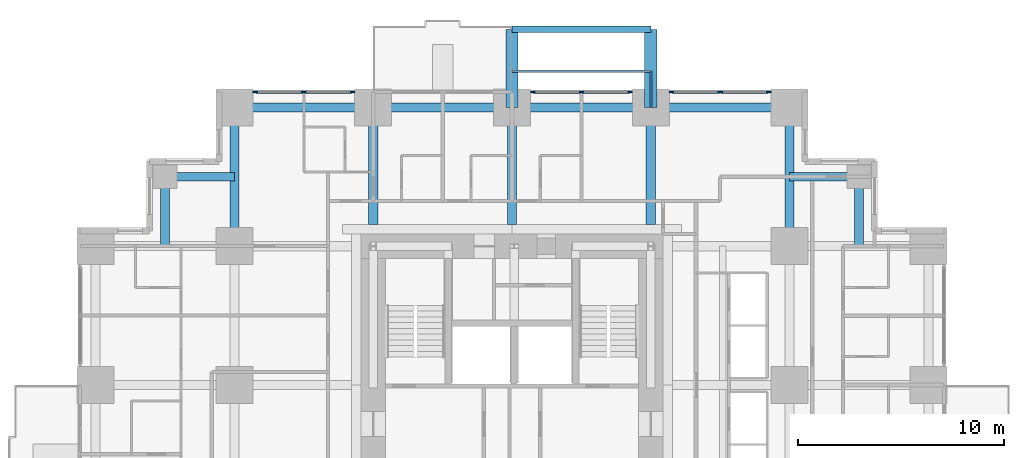
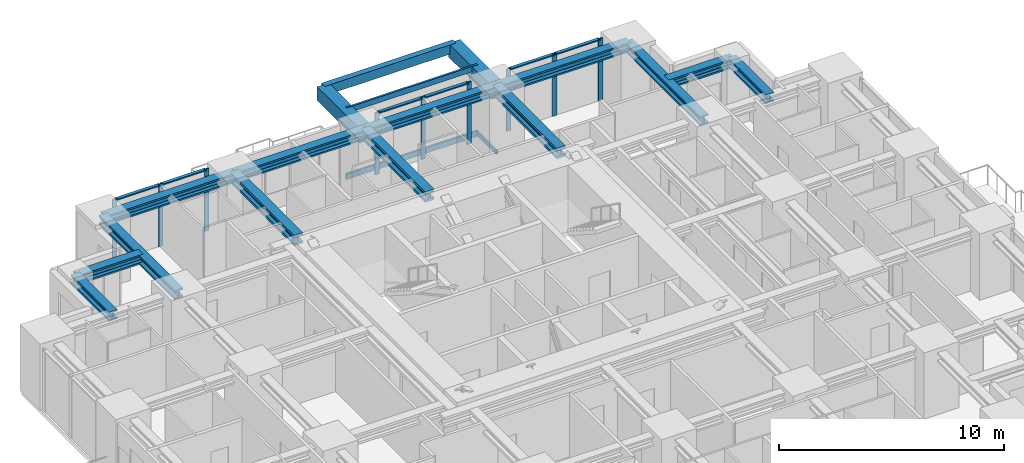
# One storey, part 5 of 13: 18 members, 16 beams, 3 elements without a shape of their own.
"""IFC4 building model written with IfcOpenShell, lengths in metres."""

import ifcopenshell
import ifcopenshell.guid

model = None  # the IFC model being written
_history = None  # IfcOwnerHistory: only IFC2X3 demands one
_inside = {}  # id of a spatial element -> (the spatial element, [elements in it])
_under = {}  # id of a project, library or spatial element -> (it, [spatial elements below it])
_declared = {}  # id of a project -> (the project, [libraries it declares])
_typed = {}  # id of a type object -> (the type object, [elements of that type])
_made_of = {}  # id of a material, layer set ... -> (it, [elements and type objects made of it])


def new_model(schema):
    """Start an empty IFC model of exactly this schema.

    Asked for "IFC4X3", IfcOpenShell would pick the latest addendum, in which some entities
    have other attributes; the version numbers below select the first issue.
    IFC2X3 requires an IfcOwnerHistory on every rooted entity: one is made here for all.
    """
    global model, _history
    if schema == "IFC4X3":
        model = ifcopenshell.file(schema_version=(4, 3, 0, 0))
    else:
        model = ifcopenshell.file(schema=schema)
    _inside.clear()
    _under.clear()
    _declared.clear()
    _typed.clear()
    _made_of.clear()
    _history = None
    if model.schema == "IFC2X3":
        org = make("IfcOrganization", Name="unknown")
        user = make(
            "IfcPersonAndOrganization",
            ThePerson=make("IfcPerson", FamilyName="unknown"),
            TheOrganization=org,
        )
        app = make(
            "IfcApplication",
            ApplicationDeveloper=org,
            Version="unknown",
            ApplicationFullName="unknown",
            ApplicationIdentifier="unknown",
        )
        _history = make(
            "IfcOwnerHistory",
            OwningUser=user,
            OwningApplication=app,
            ChangeAction="ADDED",
            CreationDate=0,
        )
    return model


def make(cls, **values):
    """One entity of the class cls with the attributes given. An attribute that is None is left unset."""
    return model.create_entity(
        cls, **{name: value for name, value in values.items() if value is not None}
    )


def rooted(cls, **values):
    """An entity with a GlobalId (a new one), such as an element, a storey or a relation."""
    return make(cls, GlobalId=ifcopenshell.guid.new(), OwnerHistory=_history, **values)


def si_unit(unit_type, name, prefix=None):
    """IfcSIUnit, for example si_unit("LENGTHUNIT", "METRE", prefix="MILLI")."""
    return make("IfcSIUnit", UnitType=unit_type, Prefix=prefix, Name=name)


def assignment(units):
    """IfcUnitAssignment: the units of a project."""
    return None if units is None else make("IfcUnitAssignment", Units=units)


def point(xyz):
    """IfcCartesianPoint."""
    return None if xyz is None else make("IfcCartesianPoint", Coordinates=xyz)


def direction(xyz):
    """IfcDirection."""
    return None if xyz is None else make("IfcDirection", DirectionRatios=xyz)


def frame(location, z_axis=None, x_axis=None):
    """IfcAxis2Placement3D, a coordinate frame: its origin and axes. An axis left out is left unset."""
    return make(
        "IfcAxis2Placement3D",
        Location=point(location),
        Axis=direction(z_axis),
        RefDirection=direction(x_axis),
    )


def frame_2d(location, x_axis=None):
    """IfcAxis2Placement2D, a coordinate frame in the plane: its origin and x axis."""
    return make(
        "IfcAxis2Placement2D", Location=point(location), RefDirection=direction(x_axis)
    )


def origin():
    """The frame at (0, 0, 0) with its axes left unset."""
    return frame((0.0, 0.0, 0.0))


def origin_2d():
    """The frame at (0, 0) in the plane with its x axis left unset."""
    return frame_2d((0.0, 0.0))


def place(relative_to, where):
    """IfcLocalPlacement: puts the frame where relative to a parent placement (None: the world)."""
    return make(
        "IfcLocalPlacement", PlacementRelTo=relative_to, RelativePlacement=where
    )


def context(
    kind, dimensions, precision=None, world=None, true_north=None, identifier=None
):
    """IfcGeometricRepresentationContext, for example the 3D "Model" context."""
    return make(
        "IfcGeometricRepresentationContext",
        ContextIdentifier=identifier,
        ContextType=kind,
        CoordinateSpaceDimension=dimensions,
        Precision=precision,
        WorldCoordinateSystem=world,
        TrueNorth=true_north,
    )


def subcontext(parent, identifier, kind, view, scale=None):
    """IfcGeometricRepresentationSubContext, for example "Body" below "Model"."""
    return make(
        "IfcGeometricRepresentationSubContext",
        ContextIdentifier=identifier,
        ContextType=kind,
        ParentContext=parent,
        TargetScale=scale,
        TargetView=view,
    )


def project(units=None, contexts=None):
    """IfcProject with its units and contexts."""
    return rooted(
        "IfcProject",
        Name="project",
        RepresentationContexts=contexts,
        UnitsInContext=assignment(units),
    )


def spatial(cls, under=None, at=None, **own):
    """A site, building, storey or space (cls), placed at a placement, below another one or the project."""
    s = rooted(cls, ObjectPlacement=at, **own)
    if under is not None:
        _under.setdefault(under.id(), (under, []))[1].append(s)
    return s


def profile(cls, at=None, kind="AREA", **sizes):
    """A parametric profile (cls). Its sizes go by their IFC names, for example OverallWidth=200.0."""
    return make(cls, ProfileType=kind, Position=at, **sizes)


def rectangle(**sizes):
    """IfcRectangleProfileDef."""
    return profile("IfcRectangleProfileDef", **sizes)


def hollow_rectangle(**sizes):
    """IfcRectangleHollowProfileDef."""
    return profile("IfcRectangleHollowProfileDef", **sizes)


def i_section(**sizes):
    """IfcIShapeProfileDef."""
    return profile("IfcIShapeProfileDef", **sizes)


def extrude(swept, where, along, depth):
    """IfcExtrudedAreaSolid: the profile swept, set in the frame where, extruded along a direction by depth."""
    return make(
        "IfcExtrudedAreaSolid",
        SweptArea=swept,
        Position=where,
        ExtrudedDirection=direction(along),
        Depth=depth,
    )


def shape(context_of_items, identifier, shape_type, items):
    """IfcShapeRepresentation: the items that make up one representation, for example the "Body"."""
    return make(
        "IfcShapeRepresentation",
        ContextOfItems=context_of_items,
        RepresentationIdentifier=identifier,
        RepresentationType=shape_type,
        Items=items,
    )


def material(Name=None, Category=None):
    """IfcMaterial."""
    return make("IfcMaterial", Name=Name, Category=Category)


def material_profile(
    of_material, cross_section, Name=None, Category=None, Priority=None
):
    """IfcMaterialProfile: a cross section and its material."""
    return make(
        "IfcMaterialProfile",
        Name=Name,
        Material=of_material,
        Profile=cross_section,
        Priority=Priority,
        Category=Category,
    )


def profile_set(profiles, Name=None, composite=None):
    """IfcMaterialProfileSet."""
    return make(
        "IfcMaterialProfileSet",
        Name=Name,
        MaterialProfiles=profiles,
        CompositeProfile=composite,
    )


def made_of(thing, what):
    """Note that an element or type object is made of a material, layer set ...; save() writes the relation."""
    if what is not None:
        _made_of.setdefault(what.id(), (what, []))[1].append(thing)
    return thing


def type_object(cls, material=None, **own):
    """A type object (cls), such as IfcWallType, which elements share."""
    return made_of(rooted(cls, **own), material)


def element(
    cls,
    number,
    at=None,
    inside=None,
    cuts=None,
    type_object=None,
    material=None,
    context=None,
    identifier="Body",
    shape_type=None,
    held_by="IfcProductDefinitionShape",
    body=None,
    shapes=None,
    **own,
):
    """One element of the class cls, such as IfcWall. Its Tag is "e" and its number.

    at: its placement. inside: the storey or other place that contains it. cuts: it is an
    opening in that element (IfcRelVoidsElement). A single representation is given by context,
    identifier, shape_type and body (its items); several are given by shapes. held_by: the class
    of the entity that holds the representations. save() writes the other relations.
    """
    e = rooted(cls, Tag="e%d" % number, ObjectPlacement=at, **own)
    if body is not None:
        shapes = [shape(context, identifier, shape_type, body)]
    if shapes is not None:
        e.Representation = make(held_by, Representations=shapes)
    if inside is not None:
        _inside.setdefault(inside.id(), (inside, []))[1].append(e)
    if cuts is not None:
        rooted(
            "IfcRelVoidsElement", RelatingBuildingElement=cuts, RelatedOpeningElement=e
        )
    if type_object is not None:
        _typed.setdefault(type_object.id(), (type_object, []))[1].append(e)
    return made_of(e, material)


def aggregate(whole, parts):
    """IfcRelAggregates: a whole, such as a stair, and the parts it consists of."""
    return rooted("IfcRelAggregates", RelatingObject=whole, RelatedObjects=parts)


def save(model, path):
    """Write the relations noted so far, then the file.

    IfcRelAggregates (storeys below a building ...), IfcRelContainedInSpatialStructure (elements
    in a storey), IfcRelDefinesByType, IfcRelAssociatesMaterial and IfcRelDeclares: one each for
    every whole, place, type object, material and project.
    """
    for whole, parts in _under.values():
        aggregate(whole, parts)
    for where, things in _inside.values():
        rooted(
            "IfcRelContainedInSpatialStructure",
            RelatedElements=things,
            RelatingStructure=where,
        )
    for kind, things in _typed.values():
        rooted("IfcRelDefinesByType", RelatedObjects=things, RelatingType=kind)
    for what, things in _made_of.values():
        rooted("IfcRelAssociatesMaterial", RelatedObjects=things, RelatingMaterial=what)
    for by, libraries in _declared.values():
        rooted("IfcRelDeclares", RelatingContext=by, RelatedDefinitions=libraries)
    model.write(path)


model = new_model("IFC4")

# Units and contexts
model_context = context("Model", 3, precision=1e-05, world=origin(), true_north=direction((0.0, 1.0)))
body_context = subcontext(model_context, "Body", "Model", "MODEL_VIEW")
ifc_project = project(units=[si_unit("LENGTHUNIT", "METRE"), si_unit("AREAUNIT", "SQUARE_METRE"), si_unit("VOLUMEUNIT", "CUBIC_METRE"), si_unit("PLANEANGLEUNIT", "RADIAN"), si_unit("MASSUNIT", "GRAM", prefix="KILO")], contexts=[model_context])

# Site, building, storey
site_placement = place(None, origin())
site = spatial("IfcSite", under=ifc_project, at=site_placement, CompositionType="ELEMENT")
building_placement = place(site_placement, origin())
building = spatial("IfcBuilding", under=site, at=building_placement, Name="Nyansa Garden Tower", CompositionType="ELEMENT")
storey_placement = place(building_placement, frame((0.0, 0.0, 101.699951171875)))
storey = spatial("IfcBuildingStorey", under=building, at=storey_placement, Name="L27", CompositionType="ELEMENT", Elevation=101.699951171875)

# Beams
ifc_material_1 = material(Name="Concrete C70/85", Category="concrete")
ifc_material_profile_1 = material_profile(ifc_material_1, rectangle(XDim=0.60009765625, YDim=0.75, at=origin_2d()), Name="RC 600x750")
ifc_profile_set_1 = profile_set([ifc_material_profile_1], Name="Concrete C70/85")
beam_type_1 = type_object("IfcBeamType", Name="Balcony cantilever beam CB1 RC 600x750", PredefinedType="BEAM", material=ifc_profile_set_1)
for number, where, z_axis, x_axis, name in (
    (1, (20.25, 33.75, 2.985107421875), (0.0, 1.0, 0.0), (-1.0, 0.0, 0.0), "Balcony cantilever beam L28"),
    (2, (27.0, 33.75, 2.985107421875), (0.0, 1.0, 0.0), (-1.0, 0.0, 0.0), "Balcony cantilever beam L28"),
):
    element("IfcBeam", number, at=place(storey_placement, frame(where, z_axis=z_axis, x_axis=x_axis)), inside=storey, type_object=beam_type_1, Name=name, PredefinedType="BEAM", context=body_context, shape_type="SweptSolid", body=[
        extrude(rectangle(XDim=0.60009765625, YDim=0.75, at=origin_2d()), origin(), (0.0, 0.0, 1.0), 3.800048828125),
    ])
ifc_material_2 = material(Name="Concrete C70/85", Category="concrete")
ifc_material_profile_2 = material_profile(ifc_material_2, rectangle(XDim=0.300048828125, YDim=0.5, at=origin_2d()), Name="RC 300x500")
ifc_profile_set_2 = profile_set([ifc_material_profile_2], Name="Concrete C70/85")
beam_type_2 = type_object("IfcBeamType", Name="Balcony edge beam BE1 RC 300x500", PredefinedType="BEAM", material=ifc_profile_set_2)
beam_placement = place(storey_placement, frame((20.25, 37.550048828125, 3.110107421875), z_axis=(1.0, 0.0, 0.0), x_axis=(0.0, 1.0, 0.0)))
element("IfcBeam", 3, at=beam_placement, inside=storey, type_object=beam_type_2, Name="Balcony edge beam L28", PredefinedType="BEAM", context=body_context, shape_type="SweptSolid", body=[
    extrude(rectangle(XDim=0.300048828125, YDim=0.5, at=origin_2d()), origin(), (0.0, 0.0, 1.0), 6.75),
])

# Curtain wall, members
ifc_material_3 = material(Name="Black anodised aluminium, dark tinted double glazing", Category="aluminium")
curtain_wall_type = type_object("IfcCurtainWallType", Name="Inner skin curtain wall ISW-B", PredefinedType="USERDEFINED", material=ifc_material_3)
curtain_wall_1_placement = place(storey_placement, origin())
curtain_wall_1 = element("IfcCurtainWall", 4, at=curtain_wall_1_placement, inside=storey, type_object=curtain_wall_type, Name="Inner skin curtain wall L27 N", ObjectType="UNITISED CURTAIN WALL", PredefinedType="USERDEFINED")
ifc_material_4 = material(Name="Black anodised aluminium", Category="aluminium")
ifc_material_profile_3 = material_profile(ifc_material_4, rectangle(XDim=0.06494140625, YDim=0.22509765625, at=origin_2d()), Name="Mullion 225x65")
ifc_profile_set_3 = profile_set([ifc_material_profile_3], Name="Black anodised aluminium")
member_type_1 = type_object("IfcMemberType", Name="Mullion ISW-B 225x65", PredefinedType="MULLION", material=ifc_profile_set_3)
member_1_placement = place(storey_placement, frame((12.487548828125, 34.5, 0.0), z_axis=(0.0, 0.0, 1.0), x_axis=(0.0, -1.0, 0.0)))
member_1 = element("IfcMember", 5, at=member_1_placement, type_object=member_type_1, Name="ISW-B mullion 1", PredefinedType="MULLION", context=body_context, shape_type="SweptSolid", body=[
    extrude(rectangle(XDim=0.06494140625, YDim=0.22509765625, at=origin_2d()), origin(), (0.0, 0.0, 1.0), 3.375),
])
member_2_placement = place(storey_placement, frame((10.125, 34.5, 0.0), z_axis=(0.0, 0.0, 1.0), x_axis=(0.0, -1.0, 0.0)))
member_2 = element("IfcMember", 6, at=member_2_placement, type_object=member_type_1, Name="ISW-B mullion 2", PredefinedType="MULLION", context=body_context, shape_type="SweptSolid", body=[
    extrude(rectangle(XDim=0.06494140625, YDim=0.22509765625, at=origin_2d()), origin(), (0.0, 0.0, 1.0), 3.375),
])
member_3_placement = place(storey_placement, frame((7.762451171875, 34.5, 0.0), z_axis=(0.0, 0.0, 1.0), x_axis=(0.0, -1.0, 0.0)))
member_3 = element("IfcMember", 7, at=member_3_placement, type_object=member_type_1, Name="ISW-B mullion 3", PredefinedType="MULLION", context=body_context, shape_type="SweptSolid", body=[
    extrude(rectangle(XDim=0.06494140625, YDim=0.22509765625, at=origin_2d()), origin(), (0.0, 0.0, 1.0), 3.375),
])

curtain_wall_2_placement = place(storey_placement, origin())
curtain_wall_2 = element("IfcCurtainWall", 8, at=curtain_wall_2_placement, inside=storey, type_object=curtain_wall_type, Name="Inner skin curtain wall L27 N", ObjectType="UNITISED CURTAIN WALL", PredefinedType="USERDEFINED")
member_4_placement = place(storey_placement, frame((32.737548828125, 34.5, 0.0), z_axis=(0.0, 0.0, 1.0), x_axis=(0.0, -1.0, 0.0)))
member_4 = element("IfcMember", 9, at=member_4_placement, type_object=member_type_1, Name="ISW-B mullion 1", PredefinedType="MULLION", context=body_context, shape_type="SweptSolid", body=[
    extrude(rectangle(XDim=0.06494140625, YDim=0.22509765625, at=origin_2d()), origin(), (0.0, 0.0, 1.0), 3.375),
])
member_5_placement = place(storey_placement, frame((30.375, 34.5, 0.0), z_axis=(0.0, 0.0, 1.0), x_axis=(0.0, -1.0, 0.0)))
member_5 = element("IfcMember", 10, at=member_5_placement, type_object=member_type_1, Name="ISW-B mullion 2", PredefinedType="MULLION", context=body_context, shape_type="SweptSolid", body=[
    extrude(rectangle(XDim=0.06494140625, YDim=0.22509765625, at=origin_2d()), origin(), (0.0, 0.0, 1.0), 3.375),
])
member_6_placement = place(storey_placement, frame((28.012451171875, 34.5, 0.0), z_axis=(0.0, 0.0, 1.0), x_axis=(0.0, -1.0, 0.0)))
member_6 = element("IfcMember", 11, at=member_6_placement, type_object=member_type_1, Name="ISW-B mullion 3", PredefinedType="MULLION", context=body_context, shape_type="SweptSolid", body=[
    extrude(rectangle(XDim=0.06494140625, YDim=0.22509765625, at=origin_2d()), origin(), (0.0, 0.0, 1.0), 3.375),
])

curtain_wall_3_placement = place(storey_placement, origin())
curtain_wall_3 = element("IfcCurtainWall", 12, at=curtain_wall_3_placement, inside=storey, type_object=curtain_wall_type, Name="Inner skin curtain wall L27 N", ObjectType="UNITISED CURTAIN WALL", PredefinedType="USERDEFINED")
member_7_placement = place(storey_placement, frame((25.987548828125, 34.5, 0.0), z_axis=(0.0, 0.0, 1.0), x_axis=(0.0, -1.0, 0.0)))
member_7 = element("IfcMember", 13, at=member_7_placement, type_object=member_type_1, Name="ISW-B mullion 1", PredefinedType="MULLION", context=body_context, shape_type="SweptSolid", body=[
    extrude(rectangle(XDim=0.06494140625, YDim=0.22509765625, at=origin_2d()), origin(), (0.0, 0.0, 1.0), 3.375),
])
member_8_placement = place(storey_placement, frame((23.625, 34.5, 0.0), z_axis=(0.0, 0.0, 1.0), x_axis=(0.0, -1.0, 0.0)))
member_8 = element("IfcMember", 14, at=member_8_placement, type_object=member_type_1, Name="ISW-B mullion 2", PredefinedType="MULLION", context=body_context, shape_type="SweptSolid", body=[
    extrude(rectangle(XDim=0.06494140625, YDim=0.22509765625, at=origin_2d()), origin(), (0.0, 0.0, 1.0), 3.375),
])
member_9_placement = place(storey_placement, frame((21.262451171875, 34.5, 0.0), z_axis=(0.0, 0.0, 1.0), x_axis=(0.0, -1.0, 0.0)))
member_9 = element("IfcMember", 15, at=member_9_placement, type_object=member_type_1, Name="ISW-B mullion 3", PredefinedType="MULLION", context=body_context, shape_type="SweptSolid", body=[
    extrude(rectangle(XDim=0.06494140625, YDim=0.22509765625, at=origin_2d()), origin(), (0.0, 0.0, 1.0), 3.375),
])

# Members
ifc_material_5 = material(Name="Steel S355, black powder coated", Category="steel")
ifc_material_profile_4 = material_profile(ifc_material_5, hollow_rectangle(XDim=0.10009765625, YDim=0.199951171875, WallThickness=0.008056640625, at=origin_2d()), Name="RHS 200x100x8")
ifc_profile_set_4 = profile_set([ifc_material_profile_4], Name="Steel S355, black powder coated")
member_type_2 = type_object("IfcMemberType", Name="Outer skin bracket arm RHS 200x100x8", PredefinedType="USERDEFINED", material=ifc_profile_set_4)
member_10_placement = place(storey_placement, frame((27.0, 33.75, -0.375), z_axis=(0.0, 1.0, 0.0), x_axis=(-1.0, 0.0, 0.0)))
element("IfcMember", 16, at=member_10_placement, inside=storey, type_object=member_type_2, Name="Outer skin bracket arm", ObjectType="OUTER SKIN BRACKET", PredefinedType="USERDEFINED", context=body_context, shape_type="SweptSolid", body=[
    extrude(hollow_rectangle(XDim=0.10009765625, YDim=0.199951171875, WallThickness=0.008056640625, at=origin_2d()), origin(), (0.0, 0.0, 1.0), 1.75),
])
ifc_material_6 = material(Name="Steel S355, black powder coated", Category="steel")
ifc_material_profile_5 = material_profile(ifc_material_6, hollow_rectangle(XDim=0.10009765625, YDim=0.300048828125, WallThickness=0.010009765625, at=origin_2d()), Name="RHS 300x100x10")
ifc_profile_set_5 = profile_set([ifc_material_profile_5], Name="Steel S355, black powder coated")
member_type_3 = type_object("IfcMemberType", Name="Outer skin rail RHS 300x100x10", PredefinedType="USERDEFINED", material=ifc_profile_set_5)
for number, where, z_axis, x_axis, name in (
    (17, (20.25, 35.5, -0.375), (1.0, 0.0, 0.0), (0.0, 1.0, 0.0), "Outer skin rail L27"),
    (18, (20.25, 35.5, 3.22509765625), (1.0, 0.0, 0.0), (0.0, 1.0, 0.0), "Outer skin rail L27 head"),
):
    element("IfcMember", number, at=place(storey_placement, frame(where, z_axis=z_axis, x_axis=x_axis)), inside=storey, type_object=member_type_3, Name=name, ObjectType="OUTER SKIN RAIL", PredefinedType="USERDEFINED", context=body_context, shape_type="SweptSolid", body=[
        extrude(hollow_rectangle(XDim=0.10009765625, YDim=0.300048828125, WallThickness=0.010009765625, at=origin_2d()), origin(), (0.0, 0.0, 1.0), 6.75),
    ])

# Beams
ifc_material_7 = material(Name="Steel S355", Category="steel")
ifc_material_profile_6 = material_profile(ifc_material_7, i_section(OverallWidth=0.431884765625, OverallDepth=0.498046875, WebThickness=0.0556640625, FlangeThickness=0.0888671875, FilletRadius=0.014892578125, at=origin_2d()), Name="HD 400x744")
ifc_profile_set_6 = profile_set([ifc_material_profile_6], Name="Steel S355")
beam_type_3 = type_object("IfcBeamType", Name="Steel beam SBB1-744 HD 400x744", PredefinedType="BEAM", material=ifc_profile_set_6)
for number, where, z_axis, x_axis, name in (
    (19, (6.75, 27.0, 3.1259765625), (0.0, 1.0, 0.0), (-1.0, 0.0, 0.0), "Steel beam 3/H-3/J L28"),
    (20, (33.75, 27.0, 3.1259765625), (0.0, 1.0, 0.0), (-1.0, 0.0, 0.0), "Steel beam 7/H-7/J L28"),
):
    element("IfcBeam", number, at=place(storey_placement, frame(where, z_axis=z_axis, x_axis=x_axis)), inside=storey, type_object=beam_type_3, Name=name, PredefinedType="BEAM", context=body_context, shape_type="SweptSolid", body=[
        extrude(i_section(OverallWidth=0.431884765625, OverallDepth=0.498046875, WebThickness=0.0556640625, FlangeThickness=0.0888671875, FilletRadius=0.014892578125, at=origin_2d()), origin(), (0.0, 0.0, 1.0), 6.75),
    ])
ifc_material_8 = material(Name="Steel S355", Category="steel")
ifc_material_profile_7 = material_profile(ifc_material_8, i_section(OverallWidth=0.4541015625, OverallDepth=0.569091796875, WebThickness=0.077880859375, FlangeThickness=0.125, FilletRadius=0.014892578125, at=origin_2d()), Name="HD 400x1086")
ifc_profile_set_7 = profile_set([ifc_material_profile_7], Name="Steel S355")
beam_type_4 = type_object("IfcBeamType", Name="Steel beam SCL-1086 HD 400x1086", PredefinedType="BEAM", material=ifc_profile_set_7)
for number, where, z_axis, x_axis, name in (
    (21, (13.5, 28.050048828125, 3.090576171875), (0.0, 1.0, 0.0), (-1.0, 0.0, 0.0), "Steel beam 4/28.050-4/J L28"),
    (22, (20.25, 28.050048828125, 3.090576171875), (0.0, 1.0, 0.0), (-1.0, 0.0, 0.0), "Steel beam 5/28.050-5/J L28"),
    (23, (27.0, 28.050048828125, 3.090576171875), (0.0, 1.0, 0.0), (-1.0, 0.0, 0.0), "Steel beam 6/28.050-6/J L28"),
):
    element("IfcBeam", number, at=place(storey_placement, frame(where, z_axis=z_axis, x_axis=x_axis)), inside=storey, type_object=beam_type_4, Name=name, PredefinedType="BEAM", context=body_context, shape_type="SweptSolid", body=[
        extrude(i_section(OverallWidth=0.4541015625, OverallDepth=0.569091796875, WebThickness=0.077880859375, FlangeThickness=0.125, FilletRadius=0.014892578125, at=origin_2d()), origin(), (0.0, 0.0, 1.0), 5.699951171875),
    ])
ifc_material_9 = material(Name="Steel S355", Category="steel")
ifc_material_profile_8 = material_profile(ifc_material_9, i_section(OverallWidth=0.431884765625, OverallDepth=0.498046875, WebThickness=0.0556640625, FlangeThickness=0.0888671875, FilletRadius=0.014892578125, at=origin_2d()), Name="HD 400x744")
ifc_profile_set_8 = profile_set([ifc_material_profile_8], Name="Steel S355")
beam_type_5 = type_object("IfcBeamType", Name="Steel beam SEBB-744 HD 400x744", PredefinedType="BEAM", material=ifc_profile_set_8)
for number, where, z_axis, x_axis, name in (
    (24, (6.75, 33.75, 3.1259765625), (1.0, 0.0, 0.0), (0.0, 1.0, 0.0), "Steel edge beam 3/J-4/J L28"),
    (25, (13.5, 33.75, 3.1259765625), (1.0, 0.0, 0.0), (0.0, 1.0, 0.0), "Steel edge beam 4/J-5/J L28"),
    (26, (20.25, 33.75, 3.1259765625), (1.0, 0.0, 0.0), (0.0, 1.0, 0.0), "Steel edge beam 5/J-6/J L28"),
    (27, (27.0, 33.75, 3.1259765625), (1.0, 0.0, 0.0), (0.0, 1.0, 0.0), "Steel edge beam 6/J-7/J L28"),
):
    element("IfcBeam", number, at=place(storey_placement, frame(where, z_axis=z_axis, x_axis=x_axis)), inside=storey, type_object=beam_type_5, Name=name, PredefinedType="BEAM", context=body_context, shape_type="SweptSolid", body=[
        extrude(i_section(OverallWidth=0.431884765625, OverallDepth=0.498046875, WebThickness=0.0556640625, FlangeThickness=0.0888671875, FilletRadius=0.014892578125, at=origin_2d()), origin(), (0.0, 0.0, 1.0), 6.75),
    ])
ifc_material_10 = material(Name="Steel S355", Category="steel")
ifc_material_profile_9 = material_profile(ifc_material_10, i_section(OverallWidth=0.431884765625, OverallDepth=0.498046875, WebThickness=0.0556640625, FlangeThickness=0.0888671875, FilletRadius=0.014892578125, at=origin_2d()), Name="HD 400x744")
ifc_profile_set_9 = profile_set([ifc_material_profile_9], Name="Steel S355")
beam_type_6 = type_object("IfcBeamType", Name="Steel beam SSB1-744 HD 400x744", PredefinedType="BEAM", material=ifc_profile_set_9)
for number, where, z_axis, x_axis, name in (
    (28, (37.125, 30.375, 3.1259765625), (0.0, -1.0, 0.0), (1.0, 0.0, 0.0), "Steel step beam 37.125/30.375 L28"),
    (29, (37.125, 30.375, 3.1259765625), (-1.0, 0.0, 0.0), (0.0, -1.0, 0.0), "Steel step beam 37.125/30.375 L28"),
    (30, (3.375, 30.375, 3.1259765625), (0.0, -1.0, 0.0), (1.0, 0.0, 0.0), "Steel step beam 3.375/30.375 L28"),
    (31, (3.375, 30.375, 3.1259765625), (1.0, 0.0, 0.0), (0.0, 1.0, 0.0), "Steel step beam 3.375/30.375 L28"),
):
    element("IfcBeam", number, at=place(storey_placement, frame(where, z_axis=z_axis, x_axis=x_axis)), inside=storey, type_object=beam_type_6, Name=name, PredefinedType="BEAM", context=body_context, shape_type="SweptSolid", body=[
        extrude(i_section(OverallWidth=0.431884765625, OverallDepth=0.498046875, WebThickness=0.0556640625, FlangeThickness=0.0888671875, FilletRadius=0.014892578125, at=origin_2d()), origin(), (0.0, 0.0, 1.0), 3.375),
    ])

# Member
ifc_material_11 = material(Name="Black anodised aluminium", Category="aluminium")
ifc_material_profile_10 = material_profile(ifc_material_11, rectangle(XDim=0.1650390625, YDim=0.06494140625, at=origin_2d()), Name="Transom 165x65")
ifc_profile_set_10 = profile_set([ifc_material_profile_10], Name="Black anodised aluminium")
member_type_4 = type_object("IfcMemberType", Name="Transom ISW-B 165x65", PredefinedType="USERDEFINED", material=ifc_profile_set_10)
member_11_placement = place(storey_placement, frame((12.455078125, 34.5, 3.342529296875), z_axis=(-1.0, 0.0, 0.0), x_axis=(0.0, -1.0, 0.0)))
member_11 = element("IfcMember", 32, at=member_11_placement, type_object=member_type_4, Name="ISW-B transom 1", ObjectType="TRANSOM", PredefinedType="USERDEFINED", context=body_context, shape_type="SweptSolid", body=[
    extrude(rectangle(XDim=0.1650390625, YDim=0.06494140625, at=origin_2d()), origin(), (0.0, 0.0, 1.0), 2.297607421875),
])

member_12_placement = place(storey_placement, frame((10.092529296875, 34.5, 3.342529296875), z_axis=(-1.0, 0.0, 0.0), x_axis=(0.0, -1.0, 0.0)))
member_12 = element("IfcMember", 33, at=member_12_placement, type_object=member_type_4, Name="ISW-B transom 2", ObjectType="TRANSOM", PredefinedType="USERDEFINED", context=body_context, shape_type="SweptSolid", body=[
    extrude(rectangle(XDim=0.1650390625, YDim=0.06494140625, at=origin_2d()), origin(), (0.0, 0.0, 1.0), 2.297607421875),
])

aggregate(curtain_wall_1, [member_1, member_2, member_3, member_11, member_12])

member_13_placement = place(storey_placement, frame((32.705078125, 34.5, 3.342529296875), z_axis=(-1.0, 0.0, 0.0), x_axis=(0.0, -1.0, 0.0)))
member_13 = element("IfcMember", 34, at=member_13_placement, type_object=member_type_4, Name="ISW-B transom 1", ObjectType="TRANSOM", PredefinedType="USERDEFINED", context=body_context, shape_type="SweptSolid", body=[
    extrude(rectangle(XDim=0.1650390625, YDim=0.06494140625, at=origin_2d()), origin(), (0.0, 0.0, 1.0), 2.297607421875),
])

member_14_placement = place(storey_placement, frame((30.342529296875, 34.5, 3.342529296875), z_axis=(-1.0, 0.0, 0.0), x_axis=(0.0, -1.0, 0.0)))
member_14 = element("IfcMember", 35, at=member_14_placement, type_object=member_type_4, Name="ISW-B transom 2", ObjectType="TRANSOM", PredefinedType="USERDEFINED", context=body_context, shape_type="SweptSolid", body=[
    extrude(rectangle(XDim=0.1650390625, YDim=0.06494140625, at=origin_2d()), origin(), (0.0, 0.0, 1.0), 2.297607421875),
])

aggregate(curtain_wall_2, [member_4, member_5, member_6, member_13, member_14])

member_15_placement = place(storey_placement, frame((25.955078125, 34.5, 3.342529296875), z_axis=(-1.0, 0.0, 0.0), x_axis=(0.0, -1.0, 0.0)))
member_15 = element("IfcMember", 36, at=member_15_placement, type_object=member_type_4, Name="ISW-B transom 1", ObjectType="TRANSOM", PredefinedType="USERDEFINED", context=body_context, shape_type="SweptSolid", body=[
    extrude(rectangle(XDim=0.1650390625, YDim=0.06494140625, at=origin_2d()), origin(), (0.0, 0.0, 1.0), 2.297607421875),
])

member_16_placement = place(storey_placement, frame((23.592529296875, 34.5, 3.342529296875), z_axis=(-1.0, 0.0, 0.0), x_axis=(0.0, -1.0, 0.0)))
member_16 = element("IfcMember", 37, at=member_16_placement, type_object=member_type_4, Name="ISW-B transom 2", ObjectType="TRANSOM", PredefinedType="USERDEFINED", context=body_context, shape_type="SweptSolid", body=[
    extrude(rectangle(XDim=0.1650390625, YDim=0.06494140625, at=origin_2d()), origin(), (0.0, 0.0, 1.0), 2.297607421875),
])

aggregate(curtain_wall_3, [member_7, member_8, member_9, member_15, member_16])

save(model, "model.ifc")
